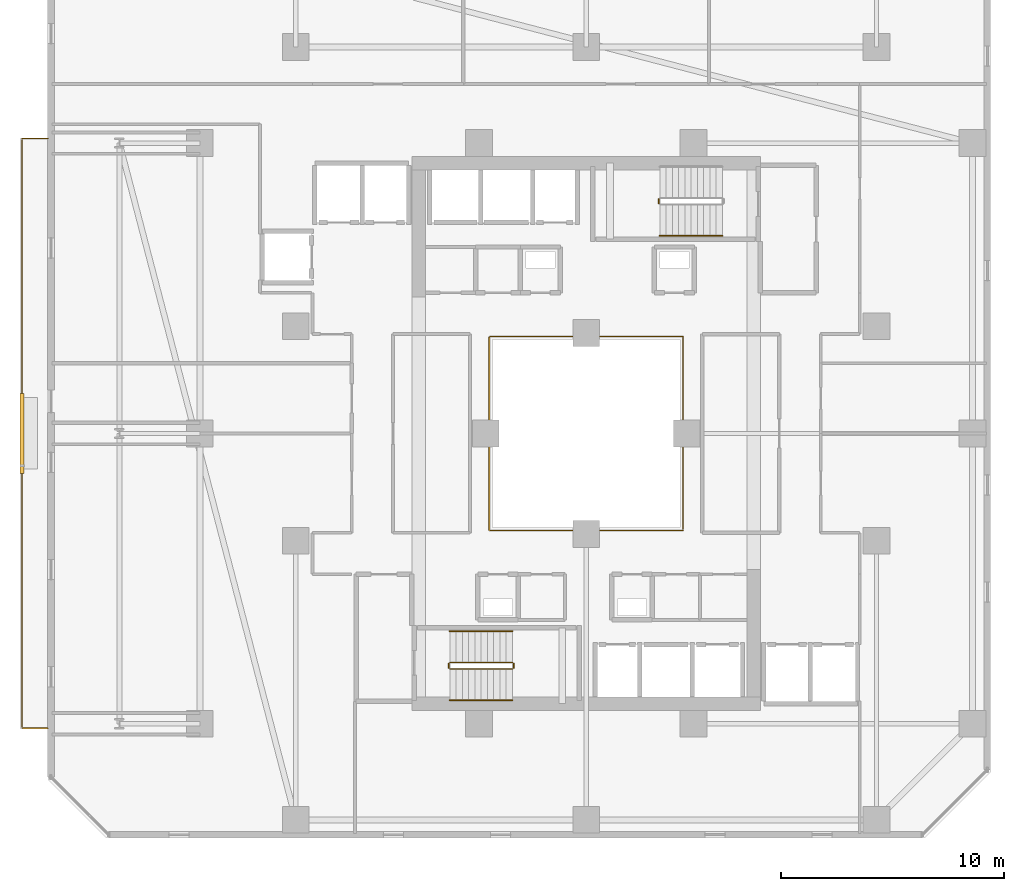
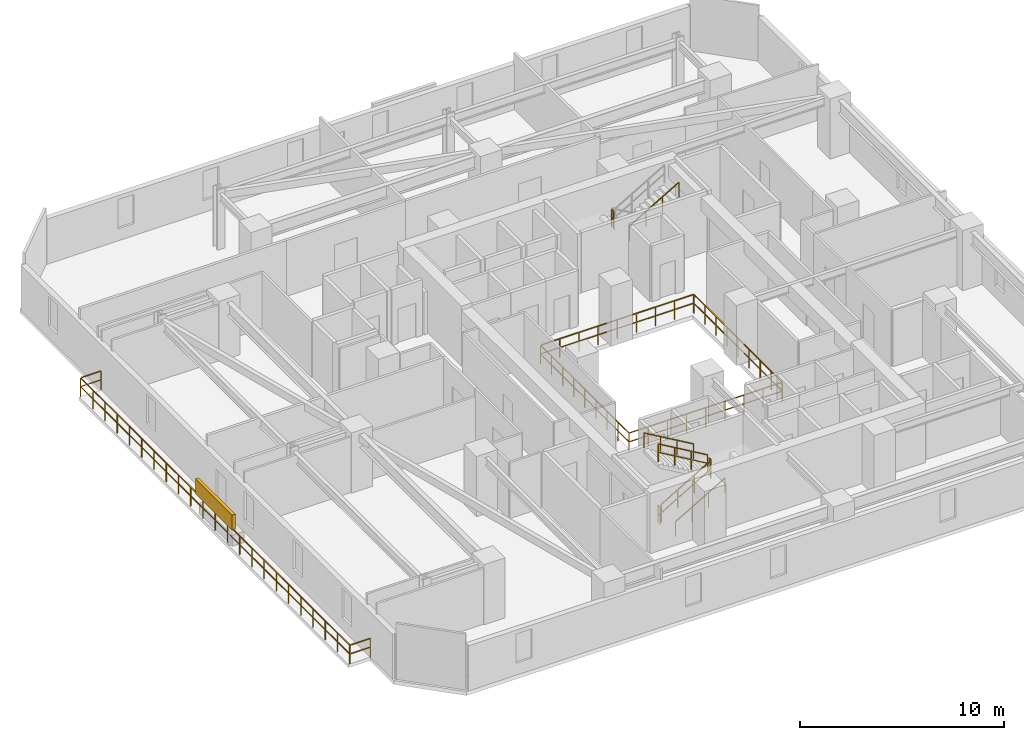
# One storey, part 30 of 33: 10 railings, 1 shading device.
"""IFC4 building model written with IfcOpenShell, lengths in metres."""

from ifc_helpers import new_model, si_unit, direction, frame, origin, origin_2d, place, context, subcontext, project, spatial, rectangle, extrude, material, type_object, element, save


model = new_model("IFC4")

# Units and contexts
model_context = context("Model", 3, precision=1e-05, world=origin(), true_north=direction((0.0, 1.0)))
body_context = subcontext(model_context, "Body", "Model", "MODEL_VIEW")
ifc_project = project(units=[si_unit("LENGTHUNIT", "METRE"), si_unit("AREAUNIT", "SQUARE_METRE"), si_unit("VOLUMEUNIT", "CUBIC_METRE"), si_unit("PLANEANGLEUNIT", "RADIAN"), si_unit("MASSUNIT", "GRAM", prefix="KILO")], contexts=[model_context])

# Site, building, storey
site_placement = place(None, origin())
site = spatial("IfcSite", under=ifc_project, at=site_placement, CompositionType="ELEMENT")
building_placement = place(site_placement, origin())
building = spatial("IfcBuilding", under=site, at=building_placement, Name="Thornwick Lancets Civic Towers", CompositionType="ELEMENT")
storey_placement = place(building_placement, frame((0.0, 0.0, 112.5)))
storey = spatial("IfcBuildingStorey", under=building, at=storey_placement, Name="L29", CompositionType="ELEMENT", Elevation=112.5)

# Railings
ifc_material_1 = material(Name="Laminated glass and bronze steel S355", Category="steel")
railing_type_1 = type_object("IfcRailingType", Name="RAIL_ATRIUM_GUARD", PredefinedType="BALUSTRADE", material=ifc_material_1)
railing_1_placement = place(storey_placement, frame((21.159912109375, 22.659912109375, 0.0)))
element("IfcRailing", 1, at=railing_1_placement, inside=storey, type_object=railing_type_1, Name="L29 Tower A Central Atrium Guard Balustrade", PredefinedType="BALUSTRADE", context=body_context, shape_type="SweptSolid", body=[
    extrude(rectangle(XDim=0.048095703125, YDim=0.048095703125, at=origin_2d()), frame((0.0, 0.0, 1.1259765625), z_axis=(1.0, 0.0, 0.0), x_axis=(0.0, 1.0, 0.0)), (0.0, 0.0, 1.0), 8.64892578125),
    extrude(rectangle(XDim=0.0419921875, YDim=0.0419921875, at=origin_2d()), frame((0.03759765625, 0.0, 0.597900390625), z_axis=(1.0, 0.0, 0.0), x_axis=(0.0, 1.0, 0.0)), (0.0, 0.0, 1.0), 1.010009765625),
    extrude(rectangle(XDim=0.0419921875, YDim=0.0419921875, at=origin_2d()), frame((1.12255859375, 0.0, 0.597900390625), z_axis=(1.0, 0.0, 0.0), x_axis=(0.0, 1.0, 0.0)), (0.0, 0.0, 1.0), 1.010009765625),
    extrude(rectangle(XDim=0.0419921875, YDim=0.0419921875, at=origin_2d()), frame((2.20751953125, 0.0, 0.597900390625), z_axis=(1.0, 0.0, 0.0), x_axis=(0.0, 1.0, 0.0)), (0.0, 0.0, 1.0), 1.010009765625),
    extrude(rectangle(XDim=0.0419921875, YDim=0.0419921875, at=origin_2d()), frame((3.29248046875, 0.0, 0.597900390625), z_axis=(1.0, 0.0, 0.0), x_axis=(0.0, 1.0, 0.0)), (0.0, 0.0, 1.0), 1.010009765625),
    extrude(rectangle(XDim=0.0419921875, YDim=0.0419921875, at=origin_2d()), frame((4.377685546875, 0.0, 0.597900390625), z_axis=(1.0, 0.0, 0.0), x_axis=(0.0, 1.0, 0.0)), (0.0, 0.0, 1.0), 1.010009765625),
    extrude(rectangle(XDim=0.0419921875, YDim=0.0419921875, at=origin_2d()), frame((5.462646484375, 0.0, 0.597900390625), z_axis=(1.0, 0.0, 0.0), x_axis=(0.0, 1.0, 0.0)), (0.0, 0.0, 1.0), 1.010009765625),
    extrude(rectangle(XDim=0.0419921875, YDim=0.0419921875, at=origin_2d()), frame((6.547607421875, 0.0, 0.597900390625), z_axis=(1.0, 0.0, 0.0), x_axis=(0.0, 1.0, 0.0)), (0.0, 0.0, 1.0), 1.010009765625),
    extrude(rectangle(XDim=0.0419921875, YDim=0.0419921875, at=origin_2d()), frame((7.632568359375, 0.0, 0.597900390625), z_axis=(1.0, 0.0, 0.0), x_axis=(0.0, 1.0, 0.0)), (0.0, 0.0, 1.0), 1.010009765625),
    extrude(rectangle(XDim=0.048095703125, YDim=0.048095703125, at=origin_2d()), frame((8.68017578125, 0.03125, 1.1259765625), z_axis=(0.0, 1.0, 0.0), x_axis=(-1.0, 0.0, 0.0)), (0.0, 0.0, 1.0), 8.61767578125),
    extrude(rectangle(XDim=0.0419921875, YDim=0.0419921875, at=origin_2d()), frame((8.68017578125, 0.03759765625, 0.597900390625), z_axis=(0.0, 1.0, 0.0), x_axis=(-1.0, 0.0, 0.0)), (0.0, 0.0, 1.0), 1.010009765625),
    extrude(rectangle(XDim=0.0419921875, YDim=0.0419921875, at=origin_2d()), frame((8.68017578125, 1.12255859375, 0.597900390625), z_axis=(0.0, 1.0, 0.0), x_axis=(-1.0, 0.0, 0.0)), (0.0, 0.0, 1.0), 1.010009765625),
    extrude(rectangle(XDim=0.0419921875, YDim=0.0419921875, at=origin_2d()), frame((8.68017578125, 2.20751953125, 0.597900390625), z_axis=(0.0, 1.0, 0.0), x_axis=(-1.0, 0.0, 0.0)), (0.0, 0.0, 1.0), 1.010009765625),
    extrude(rectangle(XDim=0.0419921875, YDim=0.0419921875, at=origin_2d()), frame((8.68017578125, 3.29248046875, 0.597900390625), z_axis=(0.0, 1.0, 0.0), x_axis=(-1.0, 0.0, 0.0)), (0.0, 0.0, 1.0), 1.010009765625),
    extrude(rectangle(XDim=0.0419921875, YDim=0.0419921875, at=origin_2d()), frame((8.68017578125, 4.377685546875, 0.597900390625), z_axis=(0.0, 1.0, 0.0), x_axis=(-1.0, 0.0, 0.0)), (0.0, 0.0, 1.0), 1.010009765625),
    extrude(rectangle(XDim=0.0419921875, YDim=0.0419921875, at=origin_2d()), frame((8.68017578125, 5.462646484375, 0.597900390625), z_axis=(0.0, 1.0, 0.0), x_axis=(-1.0, 0.0, 0.0)), (0.0, 0.0, 1.0), 1.010009765625),
    extrude(rectangle(XDim=0.0419921875, YDim=0.0419921875, at=origin_2d()), frame((8.68017578125, 6.547607421875, 0.597900390625), z_axis=(0.0, 1.0, 0.0), x_axis=(-1.0, 0.0, 0.0)), (0.0, 0.0, 1.0), 1.010009765625),
    extrude(rectangle(XDim=0.0419921875, YDim=0.0419921875, at=origin_2d()), frame((8.68017578125, 7.632568359375, 0.597900390625), z_axis=(0.0, 1.0, 0.0), x_axis=(-1.0, 0.0, 0.0)), (0.0, 0.0, 1.0), 1.010009765625),
    extrude(rectangle(XDim=0.048095703125, YDim=0.048095703125, at=origin_2d()), frame((8.64892578125, 8.68017578125, 1.1259765625), z_axis=(-1.0, 0.0, 0.0), x_axis=(0.0, -1.0, 0.0)), (0.0, 0.0, 1.0), 8.61767578125),
    extrude(rectangle(XDim=0.0419921875, YDim=0.0419921875, at=origin_2d()), frame((8.642578125, 8.68017578125, 0.597900390625), z_axis=(-1.0, 0.0, 0.0), x_axis=(0.0, -1.0, 0.0)), (0.0, 0.0, 1.0), 1.010009765625),
    extrude(rectangle(XDim=0.0419921875, YDim=0.0419921875, at=origin_2d()), frame((7.5576171875, 8.68017578125, 0.597900390625), z_axis=(-1.0, 0.0, 0.0), x_axis=(0.0, -1.0, 0.0)), (0.0, 0.0, 1.0), 1.010009765625),
    extrude(rectangle(XDim=0.0419921875, YDim=0.0419921875, at=origin_2d()), frame((6.47265625, 8.68017578125, 0.597900390625), z_axis=(-1.0, 0.0, 0.0), x_axis=(0.0, -1.0, 0.0)), (0.0, 0.0, 1.0), 1.010009765625),
    extrude(rectangle(XDim=0.0419921875, YDim=0.0419921875, at=origin_2d()), frame((5.3876953125, 8.68017578125, 0.597900390625), z_axis=(-1.0, 0.0, 0.0), x_axis=(0.0, -1.0, 0.0)), (0.0, 0.0, 1.0), 1.010009765625),
    extrude(rectangle(XDim=0.0419921875, YDim=0.0419921875, at=origin_2d()), frame((4.302490234375, 8.68017578125, 0.597900390625), z_axis=(-1.0, 0.0, 0.0), x_axis=(0.0, -1.0, 0.0)), (0.0, 0.0, 1.0), 1.010009765625),
    extrude(rectangle(XDim=0.0419921875, YDim=0.0419921875, at=origin_2d()), frame((3.217529296875, 8.68017578125, 0.597900390625), z_axis=(-1.0, 0.0, 0.0), x_axis=(0.0, -1.0, 0.0)), (0.0, 0.0, 1.0), 1.010009765625),
    extrude(rectangle(XDim=0.0419921875, YDim=0.0419921875, at=origin_2d()), frame((2.132568359375, 8.68017578125, 0.597900390625), z_axis=(-1.0, 0.0, 0.0), x_axis=(0.0, -1.0, 0.0)), (0.0, 0.0, 1.0), 1.010009765625),
    extrude(rectangle(XDim=0.0419921875, YDim=0.0419921875, at=origin_2d()), frame((1.047607421875, 8.68017578125, 0.597900390625), z_axis=(-1.0, 0.0, 0.0), x_axis=(0.0, -1.0, 0.0)), (0.0, 0.0, 1.0), 1.010009765625),
    extrude(rectangle(XDim=0.048095703125, YDim=0.048095703125, at=origin_2d()), frame((0.0, 8.64892578125, 1.1259765625), z_axis=(0.0, -1.0, 0.0), x_axis=(1.0, 0.0, 0.0)), (0.0, 0.0, 1.0), 8.64892578125),
    extrude(rectangle(XDim=0.0419921875, YDim=0.0419921875, at=origin_2d()), frame((0.0, 8.642578125, 0.597900390625), z_axis=(0.0, -1.0, 0.0), x_axis=(1.0, 0.0, 0.0)), (0.0, 0.0, 1.0), 1.010009765625),
    extrude(rectangle(XDim=0.0419921875, YDim=0.0419921875, at=origin_2d()), frame((0.0, 7.5576171875, 0.597900390625), z_axis=(0.0, -1.0, 0.0), x_axis=(1.0, 0.0, 0.0)), (0.0, 0.0, 1.0), 1.010009765625),
    extrude(rectangle(XDim=0.0419921875, YDim=0.0419921875, at=origin_2d()), frame((0.0, 6.47265625, 0.597900390625), z_axis=(0.0, -1.0, 0.0), x_axis=(1.0, 0.0, 0.0)), (0.0, 0.0, 1.0), 1.010009765625),
    extrude(rectangle(XDim=0.0419921875, YDim=0.0419921875, at=origin_2d()), frame((0.0, 5.3876953125, 0.597900390625), z_axis=(0.0, -1.0, 0.0), x_axis=(1.0, 0.0, 0.0)), (0.0, 0.0, 1.0), 1.010009765625),
    extrude(rectangle(XDim=0.0419921875, YDim=0.0419921875, at=origin_2d()), frame((0.0, 4.302490234375, 0.597900390625), z_axis=(0.0, -1.0, 0.0), x_axis=(1.0, 0.0, 0.0)), (0.0, 0.0, 1.0), 1.010009765625),
    extrude(rectangle(XDim=0.0419921875, YDim=0.0419921875, at=origin_2d()), frame((0.0, 3.217529296875, 0.597900390625), z_axis=(0.0, -1.0, 0.0), x_axis=(1.0, 0.0, 0.0)), (0.0, 0.0, 1.0), 1.010009765625),
    extrude(rectangle(XDim=0.0419921875, YDim=0.0419921875, at=origin_2d()), frame((0.0, 2.132568359375, 0.597900390625), z_axis=(0.0, -1.0, 0.0), x_axis=(1.0, 0.0, 0.0)), (0.0, 0.0, 1.0), 1.010009765625),
    extrude(rectangle(XDim=0.0419921875, YDim=0.0419921875, at=origin_2d()), frame((0.0, 1.047607421875, 0.597900390625), z_axis=(0.0, -1.0, 0.0), x_axis=(1.0, 0.0, 0.0)), (0.0, 0.0, 1.0), 1.010009765625),
    extrude(rectangle(XDim=0.0419921875, YDim=0.0419921875, at=origin_2d()), origin(), (0.0, 0.0, 1.0), 1.095703125),
    extrude(rectangle(XDim=0.0419921875, YDim=0.0419921875, at=origin_2d()), frame((1.0849609375, 0.0, 0.0)), (0.0, 0.0, 1.0), 1.095703125),
    extrude(rectangle(XDim=0.0419921875, YDim=0.0419921875, at=origin_2d()), frame((2.169921875, 0.0, 0.0)), (0.0, 0.0, 1.0), 1.095703125),
    extrude(rectangle(XDim=0.0419921875, YDim=0.0419921875, at=origin_2d()), frame((3.255126953125, 0.0, 0.0)), (0.0, 0.0, 1.0), 1.095703125),
    extrude(rectangle(XDim=0.0419921875, YDim=0.0419921875, at=origin_2d()), frame((4.340087890625, 0.0, 0.0)), (0.0, 0.0, 1.0), 1.095703125),
    extrude(rectangle(XDim=0.0419921875, YDim=0.0419921875, at=origin_2d()), frame((5.425048828125, 0.0, 0.0)), (0.0, 0.0, 1.0), 1.095703125),
    extrude(rectangle(XDim=0.0419921875, YDim=0.0419921875, at=origin_2d()), frame((6.51025390625, 0.0, 0.0)), (0.0, 0.0, 1.0), 1.095703125),
    extrude(rectangle(XDim=0.0419921875, YDim=0.0419921875, at=origin_2d()), frame((7.59521484375, 0.0, 0.0)), (0.0, 0.0, 1.0), 1.095703125),
    extrude(rectangle(XDim=0.0419921875, YDim=0.0419921875, at=origin_2d()), frame((8.68017578125, 0.0, 0.0)), (0.0, 0.0, 1.0), 1.095703125),
    extrude(rectangle(XDim=0.0419921875, YDim=0.0419921875, at=origin_2d()), frame((8.68017578125, 1.0849609375, 0.0)), (0.0, 0.0, 1.0), 1.095703125),
    extrude(rectangle(XDim=0.0419921875, YDim=0.0419921875, at=origin_2d()), frame((8.68017578125, 2.169921875, 0.0)), (0.0, 0.0, 1.0), 1.095703125),
    extrude(rectangle(XDim=0.0419921875, YDim=0.0419921875, at=origin_2d()), frame((8.68017578125, 3.255126953125, 0.0)), (0.0, 0.0, 1.0), 1.095703125),
    extrude(rectangle(XDim=0.0419921875, YDim=0.0419921875, at=origin_2d()), frame((8.68017578125, 4.340087890625, 0.0)), (0.0, 0.0, 1.0), 1.095703125),
    extrude(rectangle(XDim=0.0419921875, YDim=0.0419921875, at=origin_2d()), frame((8.68017578125, 5.425048828125, 0.0)), (0.0, 0.0, 1.0), 1.095703125),
    extrude(rectangle(XDim=0.0419921875, YDim=0.0419921875, at=origin_2d()), frame((8.68017578125, 6.51025390625, 0.0)), (0.0, 0.0, 1.0), 1.095703125),
    extrude(rectangle(XDim=0.0419921875, YDim=0.0419921875, at=origin_2d()), frame((8.68017578125, 7.59521484375, 0.0)), (0.0, 0.0, 1.0), 1.095703125),
    extrude(rectangle(XDim=0.0419921875, YDim=0.0419921875, at=origin_2d()), frame((8.68017578125, 8.68017578125, 0.0)), (0.0, 0.0, 1.0), 1.095703125),
    extrude(rectangle(XDim=0.0419921875, YDim=0.0419921875, at=origin_2d()), frame((7.59521484375, 8.68017578125, 0.0)), (0.0, 0.0, 1.0), 1.095703125),
    extrude(rectangle(XDim=0.0419921875, YDim=0.0419921875, at=origin_2d()), frame((6.51025390625, 8.68017578125, 0.0)), (0.0, 0.0, 1.0), 1.095703125),
    extrude(rectangle(XDim=0.0419921875, YDim=0.0419921875, at=origin_2d()), frame((5.425048828125, 8.68017578125, 0.0)), (0.0, 0.0, 1.0), 1.095703125),
    extrude(rectangle(XDim=0.0419921875, YDim=0.0419921875, at=origin_2d()), frame((4.340087890625, 8.68017578125, 0.0)), (0.0, 0.0, 1.0), 1.095703125),
    extrude(rectangle(XDim=0.0419921875, YDim=0.0419921875, at=origin_2d()), frame((3.255126953125, 8.68017578125, 0.0)), (0.0, 0.0, 1.0), 1.095703125),
    extrude(rectangle(XDim=0.0419921875, YDim=0.0419921875, at=origin_2d()), frame((2.169921875, 8.68017578125, 0.0)), (0.0, 0.0, 1.0), 1.095703125),
    extrude(rectangle(XDim=0.0419921875, YDim=0.0419921875, at=origin_2d()), frame((1.0849609375, 8.68017578125, 0.0)), (0.0, 0.0, 1.0), 1.095703125),
    extrude(rectangle(XDim=0.0419921875, YDim=0.0419921875, at=origin_2d()), frame((0.0, 8.68017578125, 0.0)), (0.0, 0.0, 1.0), 1.095703125),
    extrude(rectangle(XDim=0.0419921875, YDim=0.0419921875, at=origin_2d()), frame((0.0, 7.59521484375, 0.0)), (0.0, 0.0, 1.0), 1.095703125),
    extrude(rectangle(XDim=0.0419921875, YDim=0.0419921875, at=origin_2d()), frame((0.0, 6.51025390625, 0.0)), (0.0, 0.0, 1.0), 1.095703125),
    extrude(rectangle(XDim=0.0419921875, YDim=0.0419921875, at=origin_2d()), frame((0.0, 5.425048828125, 0.0)), (0.0, 0.0, 1.0), 1.095703125),
    extrude(rectangle(XDim=0.0419921875, YDim=0.0419921875, at=origin_2d()), frame((0.0, 4.340087890625, 0.0)), (0.0, 0.0, 1.0), 1.095703125),
    extrude(rectangle(XDim=0.0419921875, YDim=0.0419921875, at=origin_2d()), frame((0.0, 3.255126953125, 0.0)), (0.0, 0.0, 1.0), 1.095703125),
    extrude(rectangle(XDim=0.0419921875, YDim=0.0419921875, at=origin_2d()), frame((0.0, 2.169921875, 0.0)), (0.0, 0.0, 1.0), 1.095703125),
    extrude(rectangle(XDim=0.0419921875, YDim=0.0419921875, at=origin_2d()), frame((0.0, 1.0849609375, 0.0)), (0.0, 0.0, 1.0), 1.095703125),
])
ifc_material_2 = material(Name="Brushed stainless steel S355", Category="steel")
railing_type_2 = type_object("IfcRailingType", Name="RAIL_HANDRAIL", PredefinedType="HANDRAIL", material=ifc_material_2)
railing_2_placement = place(storey_placement, frame((19.39990234375, 15.050048828125, 0.16357421875)))
element("IfcRailing", 2, at=railing_2_placement, inside=storey, type_object=railing_type_2, Name="L29 ST-A1 stair handrail 1", PredefinedType="HANDRAIL", context=body_context, shape_type="SweptSolid", body=[
    extrude(rectangle(XDim=0.048095703125, YDim=0.048095703125, at=origin_2d()), frame((0.0, 0.0, 0.8857421875), z_axis=(0.863360870873, 0.0, 0.504586966384), x_axis=(0.0, 1.0, 0.0)), (0.0, 0.0, 1.0), 3.2431640625),
    extrude(rectangle(XDim=0.0419921875, YDim=0.0419921875, at=origin_2d()), origin(), (0.0, 0.0, 1.0), 0.855712890625),
    extrude(rectangle(XDim=0.0419921875, YDim=0.0419921875, at=origin_2d()), frame((0.933349609375, 0.0, 0.54541015625)), (0.0, 0.0, 1.0), 0.855712890625),
    extrude(rectangle(XDim=0.0419921875, YDim=0.0419921875, at=origin_2d()), frame((1.86669921875, 0.0, 1.091064453125)), (0.0, 0.0, 1.0), 0.855712890625),
    extrude(rectangle(XDim=0.0419921875, YDim=0.0419921875, at=origin_2d()), frame((2.800048828125, 0.0, 1.636474609375)), (0.0, 0.0, 1.0), 0.855712890625),
])
railing_3_placement = place(storey_placement, frame((22.199951171875, 18.14990234375, 1.963623046875)))
element("IfcRailing", 3, at=railing_3_placement, inside=storey, type_object=railing_type_2, Name="L29 ST-A1 stair handrail 2", PredefinedType="HANDRAIL", context=body_context, shape_type="SweptSolid", body=[
    extrude(rectangle(XDim=0.048095703125, YDim=0.048095703125, at=origin_2d()), frame((0.0, 0.0, 0.8857421875), z_axis=(-0.863360870873, 0.0, 0.504586966384), x_axis=(0.0, -1.0, 0.0)), (0.0, 0.0, 1.0), 3.2431640625),
    extrude(rectangle(XDim=0.0419921875, YDim=0.0419921875, at=origin_2d()), origin(), (0.0, 0.0, 1.0), 0.855712890625),
    extrude(rectangle(XDim=0.0419921875, YDim=0.0419921875, at=origin_2d()), frame((-0.933349609375, 0.0, 0.54541015625)), (0.0, 0.0, 1.0), 0.855712890625),
    extrude(rectangle(XDim=0.0419921875, YDim=0.0419921875, at=origin_2d()), frame((-1.86669921875, 0.0, 1.091064453125)), (0.0, 0.0, 1.0), 0.855712890625),
    extrude(rectangle(XDim=0.0419921875, YDim=0.0419921875, at=origin_2d()), frame((-2.800048828125, 0.0, 1.636474609375)), (0.0, 0.0, 1.0), 0.855712890625),
])
railing_4_placement = place(storey_placement, frame((28.800048828125, 35.85009765625, 1.963623046875)))
element("IfcRailing", 4, at=railing_4_placement, inside=storey, type_object=railing_type_2, Name="L29 ST-A2 stair handrail 2", PredefinedType="HANDRAIL", context=body_context, shape_type="SweptSolid", body=[
    extrude(rectangle(XDim=0.048095703125, YDim=0.048095703125, at=origin_2d()), frame((0.0, 0.0, 0.8857421875), z_axis=(0.863360870873, 0.0, 0.504586966384), x_axis=(0.0, 1.0, 0.0)), (0.0, 0.0, 1.0), 3.2431640625),
    extrude(rectangle(XDim=0.0419921875, YDim=0.0419921875, at=origin_2d()), origin(), (0.0, 0.0, 1.0), 0.855712890625),
    extrude(rectangle(XDim=0.0419921875, YDim=0.0419921875, at=origin_2d()), frame((0.933349609375, 0.0, 0.54541015625)), (0.0, 0.0, 1.0), 0.855712890625),
    extrude(rectangle(XDim=0.0419921875, YDim=0.0419921875, at=origin_2d()), frame((1.86669921875, 0.0, 1.091064453125)), (0.0, 0.0, 1.0), 0.855712890625),
    extrude(rectangle(XDim=0.0419921875, YDim=0.0419921875, at=origin_2d()), frame((2.800048828125, 0.0, 1.636474609375)), (0.0, 0.0, 1.0), 0.855712890625),
])
ifc_material_3 = material(Name="Steel S355JR", Category="steel")
railing_type_3 = type_object("IfcRailingType", Name="RAIL_STAIR_GUARD", PredefinedType="GUARDRAIL", material=ifc_material_3)
railing_5_placement = place(storey_placement, frame((19.39990234375, 16.449951171875, 0.16357421875)))
element("IfcRailing", 5, at=railing_5_placement, inside=storey, type_object=railing_type_3, Name="L29 ST-A1 stair guard 1", PredefinedType="GUARDRAIL", context=body_context, shape_type="SweptSolid", body=[
    extrude(rectangle(XDim=0.048095703125, YDim=0.048095703125, at=origin_2d()), frame((0.0, 0.0, 1.076171875), z_axis=(0.863360870873, 0.0, 0.504586966384), x_axis=(0.0, 1.0, 0.0)), (0.0, 0.0, 1.0), 3.2431640625),
    extrude(rectangle(XDim=0.0419921875, YDim=0.0419921875, at=origin_2d()), frame((0.032470703125, 0.0, 0.591064453125), z_axis=(0.863360870873, 0.0, 0.504586966384), x_axis=(0.0, 1.0, 0.0)), (0.0, 0.0, 1.0), 1.006103515625),
    extrude(rectangle(XDim=0.0419921875, YDim=0.0419921875, at=origin_2d()), frame((0.9658203125, 0.0, 1.136474609375), z_axis=(0.863360870873, 0.0, 0.504586966384), x_axis=(0.0, 1.0, 0.0)), (0.0, 0.0, 1.0), 1.006103515625),
    extrude(rectangle(XDim=0.0419921875, YDim=0.0419921875, at=origin_2d()), frame((1.899169921875, 0.0, 1.681884765625), z_axis=(0.863360870873, 0.0, 0.504586966384), x_axis=(0.0, 1.0, 0.0)), (0.0, 0.0, 1.0), 1.006103515625),
    extrude(rectangle(XDim=0.0419921875, YDim=0.0419921875, at=origin_2d()), origin(), (0.0, 0.0, 1.0), 1.0458984375),
    extrude(rectangle(XDim=0.0419921875, YDim=0.0419921875, at=origin_2d()), frame((0.933349609375, 0.0, 0.54541015625)), (0.0, 0.0, 1.0), 1.0458984375),
    extrude(rectangle(XDim=0.0419921875, YDim=0.0419921875, at=origin_2d()), frame((1.86669921875, 0.0, 1.091064453125)), (0.0, 0.0, 1.0), 1.0458984375),
    extrude(rectangle(XDim=0.0419921875, YDim=0.0419921875, at=origin_2d()), frame((2.800048828125, 0.0, 1.636474609375)), (0.0, 0.0, 1.0), 1.0458984375),
])
railing_6_placement = place(storey_placement, frame((22.25, 16.5, 1.800048828125)))
element("IfcRailing", 6, at=railing_6_placement, inside=storey, type_object=railing_type_3, Name="L29 ST-A1 stair guard 2", PredefinedType="GUARDRAIL", context=body_context, shape_type="SweptSolid", body=[
    extrude(rectangle(XDim=0.048095703125, YDim=0.048095703125, at=origin_2d()), frame((0.0, 0.0, 1.076171875), z_axis=(0.0, 1.0, 0.0), x_axis=(-1.0, 0.0, 0.0)), (0.0, 0.0, 1.0), 0.199951171875),
    extrude(rectangle(XDim=0.0419921875, YDim=0.0419921875, at=origin_2d()), frame((0.0, 0.03759765625, 0.572021484375), z_axis=(0.0, 1.0, 0.0), x_axis=(-1.0, 0.0, 0.0)), (0.0, 0.0, 1.0), 0.125),
    extrude(rectangle(XDim=0.0419921875, YDim=0.0419921875, at=origin_2d()), origin(), (0.0, 0.0, 1.0), 1.0458984375),
    extrude(rectangle(XDim=0.0419921875, YDim=0.0419921875, at=origin_2d()), frame((0.0, 0.199951171875, 0.0)), (0.0, 0.0, 1.0), 1.0458984375),
])
railing_7_placement = place(storey_placement, frame((22.199951171875, 16.75, 1.963623046875)))
element("IfcRailing", 7, at=railing_7_placement, inside=storey, type_object=railing_type_3, Name="L29 ST-A1 stair guard 3", PredefinedType="GUARDRAIL", context=body_context, shape_type="SweptSolid", body=[
    extrude(rectangle(XDim=0.048095703125, YDim=0.048095703125, at=origin_2d()), frame((0.0, 0.0, 1.076171875), z_axis=(-0.863360870873, 0.0, 0.504586966384), x_axis=(0.0, -1.0, 0.0)), (0.0, 0.0, 1.0), 3.2431640625),
    extrude(rectangle(XDim=0.0419921875, YDim=0.0419921875, at=origin_2d()), frame((-0.032470703125, 0.0, 0.591064453125), z_axis=(-0.863360870873, 0.0, 0.504586966384), x_axis=(0.0, -1.0, 0.0)), (0.0, 0.0, 1.0), 1.006103515625),
    extrude(rectangle(XDim=0.0419921875, YDim=0.0419921875, at=origin_2d()), frame((-0.9658203125, 0.0, 1.136474609375), z_axis=(-0.863360870873, 0.0, 0.504586966384), x_axis=(0.0, -1.0, 0.0)), (0.0, 0.0, 1.0), 1.006103515625),
    extrude(rectangle(XDim=0.0419921875, YDim=0.0419921875, at=origin_2d()), frame((-1.899169921875, 0.0, 1.681884765625), z_axis=(-0.863360870873, 0.0, 0.504586966384), x_axis=(0.0, -1.0, 0.0)), (0.0, 0.0, 1.0), 1.006103515625),
    extrude(rectangle(XDim=0.0419921875, YDim=0.0419921875, at=origin_2d()), origin(), (0.0, 0.0, 1.0), 1.0458984375),
    extrude(rectangle(XDim=0.0419921875, YDim=0.0419921875, at=origin_2d()), frame((-0.933349609375, 0.0, 0.54541015625)), (0.0, 0.0, 1.0), 1.0458984375),
    extrude(rectangle(XDim=0.0419921875, YDim=0.0419921875, at=origin_2d()), frame((-1.86669921875, 0.0, 1.091064453125)), (0.0, 0.0, 1.0), 1.0458984375),
    extrude(rectangle(XDim=0.0419921875, YDim=0.0419921875, at=origin_2d()), frame((-2.800048828125, 0.0, 1.636474609375)), (0.0, 0.0, 1.0), 1.0458984375),
])
railing_8_placement = place(storey_placement, frame((19.35009765625, 16.5, 0.0)))
element("IfcRailing", 8, at=railing_8_placement, inside=storey, type_object=railing_type_3, Name="L29 ST-A1 stair guard 4", PredefinedType="GUARDRAIL", context=body_context, shape_type="SweptSolid", body=[
    extrude(rectangle(XDim=0.048095703125, YDim=0.048095703125, at=origin_2d()), frame((0.0, 0.0, 1.076171875), z_axis=(0.0, 1.0, 0.0), x_axis=(-1.0, 0.0, 0.0)), (0.0, 0.0, 1.0), 0.199951171875),
    extrude(rectangle(XDim=0.0419921875, YDim=0.0419921875, at=origin_2d()), frame((0.0, 0.03759765625, 0.572021484375), z_axis=(0.0, 1.0, 0.0), x_axis=(-1.0, 0.0, 0.0)), (0.0, 0.0, 1.0), 0.125),
    extrude(rectangle(XDim=0.0419921875, YDim=0.0419921875, at=origin_2d()), origin(), (0.0, 0.0, 1.0), 1.0458984375),
    extrude(rectangle(XDim=0.0419921875, YDim=0.0419921875, at=origin_2d()), frame((0.0, 0.199951171875, 0.0)), (0.0, 0.0, 1.0), 1.0458984375),
])
railing_9_placement = place(storey_placement, frame((28.75, 37.5, 1.800048828125)))
element("IfcRailing", 9, at=railing_9_placement, inside=storey, type_object=railing_type_3, Name="L29 ST-A2 stair guard 2", PredefinedType="GUARDRAIL", context=body_context, shape_type="SweptSolid", body=[
    extrude(rectangle(XDim=0.048095703125, YDim=0.048095703125, at=origin_2d()), frame((0.0, 0.0, 1.076171875), z_axis=(0.0, -1.0, 0.0), x_axis=(1.0, 0.0, 0.0)), (0.0, 0.0, 1.0), 0.199951171875),
    extrude(rectangle(XDim=0.0419921875, YDim=0.0419921875, at=origin_2d()), frame((0.0, -0.03759765625, 0.572021484375), z_axis=(0.0, -1.0, 0.0), x_axis=(1.0, 0.0, 0.0)), (0.0, 0.0, 1.0), 0.125),
    extrude(rectangle(XDim=0.0419921875, YDim=0.0419921875, at=origin_2d()), origin(), (0.0, 0.0, 1.0), 1.0458984375),
    extrude(rectangle(XDim=0.0419921875, YDim=0.0419921875, at=origin_2d()), frame((0.0, -0.199951171875, 0.0)), (0.0, 0.0, 1.0), 1.0458984375),
])
ifc_material_4 = material(Name="Terracotta-capped laminated glass balustrade S355", Category="masonry")
railing_type_4 = type_object("IfcRailingType", Name="RAIL_TERR_GUARD", PredefinedType="GUARDRAIL", material=ifc_material_4)
railing_10_placement = place(storey_placement, frame((1.39990234375, 13.800048828125, 0.0)))
element("IfcRailing", 10, at=railing_10_placement, inside=storey, type_object=railing_type_4, Name="L29 Tower A Balcony Guard W", PredefinedType="GUARDRAIL", context=body_context, shape_type="SweptSolid", body=[
    extrude(rectangle(XDim=0.048095703125, YDim=0.048095703125, at=origin_2d()), frame((0.0, 0.0, 1.1259765625), z_axis=(-1.0, 0.0, 0.0), x_axis=(0.0, -1.0, 0.0)), (0.0, 0.0, 1.0), 1.138671875),
    extrude(rectangle(XDim=0.0419921875, YDim=0.0419921875, at=origin_2d()), frame((-0.03759765625, 0.0, 0.597900390625), z_axis=(-1.0, 0.0, 0.0), x_axis=(0.0, -1.0, 0.0)), (0.0, 0.0, 1.0), 1.094970703125),
    extrude(rectangle(XDim=0.048095703125, YDim=0.048095703125, at=origin_2d()), frame((-1.169921875, 0.03125, 1.1259765625), z_axis=(0.0, 1.0, 0.0), x_axis=(-1.0, 0.0, 0.0)), (0.0, 0.0, 1.0), 26.33740234375),
    extrude(rectangle(XDim=0.0419921875, YDim=0.0419921875, at=origin_2d()), frame((-1.169921875, 0.03759765625, 0.597900390625), z_axis=(0.0, 1.0, 0.0), x_axis=(-1.0, 0.0, 0.0)), (0.0, 0.0, 1.0), 1.125),
    extrude(rectangle(XDim=0.0419921875, YDim=0.0419921875, at=origin_2d()), frame((-1.169921875, 1.237548828125, 0.597900390625), z_axis=(0.0, 1.0, 0.0), x_axis=(-1.0, 0.0, 0.0)), (0.0, 0.0, 1.0), 1.125),
    extrude(rectangle(XDim=0.0419921875, YDim=0.0419921875, at=origin_2d()), frame((-1.169921875, 2.4375, 0.597900390625), z_axis=(0.0, 1.0, 0.0), x_axis=(-1.0, 0.0, 0.0)), (0.0, 0.0, 1.0), 1.125),
    extrude(rectangle(XDim=0.0419921875, YDim=0.0419921875, at=origin_2d()), frame((-1.169921875, 3.637451171875, 0.597900390625), z_axis=(0.0, 1.0, 0.0), x_axis=(-1.0, 0.0, 0.0)), (0.0, 0.0, 1.0), 1.125),
    extrude(rectangle(XDim=0.0419921875, YDim=0.0419921875, at=origin_2d()), frame((-1.169921875, 4.83740234375, 0.597900390625), z_axis=(0.0, 1.0, 0.0), x_axis=(-1.0, 0.0, 0.0)), (0.0, 0.0, 1.0), 1.125),
    extrude(rectangle(XDim=0.0419921875, YDim=0.0419921875, at=origin_2d()), frame((-1.169921875, 6.037353515625, 0.597900390625), z_axis=(0.0, 1.0, 0.0), x_axis=(-1.0, 0.0, 0.0)), (0.0, 0.0, 1.0), 1.125),
    extrude(rectangle(XDim=0.0419921875, YDim=0.0419921875, at=origin_2d()), frame((-1.169921875, 7.237548828125, 0.597900390625), z_axis=(0.0, 1.0, 0.0), x_axis=(-1.0, 0.0, 0.0)), (0.0, 0.0, 1.0), 1.125),
    extrude(rectangle(XDim=0.0419921875, YDim=0.0419921875, at=origin_2d()), frame((-1.169921875, 8.4375, 0.597900390625), z_axis=(0.0, 1.0, 0.0), x_axis=(-1.0, 0.0, 0.0)), (0.0, 0.0, 1.0), 1.125),
    extrude(rectangle(XDim=0.0419921875, YDim=0.0419921875, at=origin_2d()), frame((-1.169921875, 9.637451171875, 0.597900390625), z_axis=(0.0, 1.0, 0.0), x_axis=(-1.0, 0.0, 0.0)), (0.0, 0.0, 1.0), 1.125),
    extrude(rectangle(XDim=0.0419921875, YDim=0.0419921875, at=origin_2d()), frame((-1.169921875, 10.83740234375, 0.597900390625), z_axis=(0.0, 1.0, 0.0), x_axis=(-1.0, 0.0, 0.0)), (0.0, 0.0, 1.0), 1.125),
    extrude(rectangle(XDim=0.0419921875, YDim=0.0419921875, at=origin_2d()), frame((-1.169921875, 12.037353515625, 0.597900390625), z_axis=(0.0, 1.0, 0.0), x_axis=(-1.0, 0.0, 0.0)), (0.0, 0.0, 1.0), 1.125),
    extrude(rectangle(XDim=0.0419921875, YDim=0.0419921875, at=origin_2d()), frame((-1.169921875, 13.237548828125, 0.597900390625), z_axis=(0.0, 1.0, 0.0), x_axis=(-1.0, 0.0, 0.0)), (0.0, 0.0, 1.0), 1.125),
    extrude(rectangle(XDim=0.0419921875, YDim=0.0419921875, at=origin_2d()), frame((-1.169921875, 14.4375, 0.597900390625), z_axis=(0.0, 1.0, 0.0), x_axis=(-1.0, 0.0, 0.0)), (0.0, 0.0, 1.0), 1.125),
    extrude(rectangle(XDim=0.0419921875, YDim=0.0419921875, at=origin_2d()), frame((-1.169921875, 15.637451171875, 0.597900390625), z_axis=(0.0, 1.0, 0.0), x_axis=(-1.0, 0.0, 0.0)), (0.0, 0.0, 1.0), 1.125),
    extrude(rectangle(XDim=0.0419921875, YDim=0.0419921875, at=origin_2d()), frame((-1.169921875, 16.83740234375, 0.597900390625), z_axis=(0.0, 1.0, 0.0), x_axis=(-1.0, 0.0, 0.0)), (0.0, 0.0, 1.0), 1.125),
    extrude(rectangle(XDim=0.0419921875, YDim=0.0419921875, at=origin_2d()), frame((-1.169921875, 18.037353515625, 0.597900390625), z_axis=(0.0, 1.0, 0.0), x_axis=(-1.0, 0.0, 0.0)), (0.0, 0.0, 1.0), 1.125),
    extrude(rectangle(XDim=0.0419921875, YDim=0.0419921875, at=origin_2d()), frame((-1.169921875, 19.2373046875, 0.597900390625), z_axis=(0.0, 1.0, 0.0), x_axis=(-1.0, 0.0, 0.0)), (0.0, 0.0, 1.0), 1.125),
    extrude(rectangle(XDim=0.0419921875, YDim=0.0419921875, at=origin_2d()), frame((-1.169921875, 20.4375, 0.597900390625), z_axis=(0.0, 1.0, 0.0), x_axis=(-1.0, 0.0, 0.0)), (0.0, 0.0, 1.0), 1.125),
    extrude(rectangle(XDim=0.0419921875, YDim=0.0419921875, at=origin_2d()), frame((-1.169921875, 21.637451171875, 0.597900390625), z_axis=(0.0, 1.0, 0.0), x_axis=(-1.0, 0.0, 0.0)), (0.0, 0.0, 1.0), 1.125),
    extrude(rectangle(XDim=0.0419921875, YDim=0.0419921875, at=origin_2d()), frame((-1.169921875, 22.83740234375, 0.597900390625), z_axis=(0.0, 1.0, 0.0), x_axis=(-1.0, 0.0, 0.0)), (0.0, 0.0, 1.0), 1.125),
    extrude(rectangle(XDim=0.0419921875, YDim=0.0419921875, at=origin_2d()), frame((-1.169921875, 24.037353515625, 0.597900390625), z_axis=(0.0, 1.0, 0.0), x_axis=(-1.0, 0.0, 0.0)), (0.0, 0.0, 1.0), 1.125),
    extrude(rectangle(XDim=0.0419921875, YDim=0.0419921875, at=origin_2d()), frame((-1.169921875, 25.2373046875, 0.597900390625), z_axis=(0.0, 1.0, 0.0), x_axis=(-1.0, 0.0, 0.0)), (0.0, 0.0, 1.0), 1.125),
    extrude(rectangle(XDim=0.048095703125, YDim=0.048095703125, at=origin_2d()), frame((-1.138671875, 26.39990234375, 1.1259765625), z_axis=(1.0, 0.0, 0.0), x_axis=(0.0, 1.0, 0.0)), (0.0, 0.0, 1.0), 1.138671875),
    extrude(rectangle(XDim=0.0419921875, YDim=0.0419921875, at=origin_2d()), frame((-1.13232421875, 26.39990234375, 0.597900390625), z_axis=(1.0, 0.0, 0.0), x_axis=(0.0, 1.0, 0.0)), (0.0, 0.0, 1.0), 1.094970703125),
    extrude(rectangle(XDim=0.0419921875, YDim=0.0419921875, at=origin_2d()), origin(), (0.0, 0.0, 1.0), 1.095703125),
    extrude(rectangle(XDim=0.0419921875, YDim=0.0419921875, at=origin_2d()), frame((-1.169921875, 0.0, 0.0)), (0.0, 0.0, 1.0), 1.095703125),
    extrude(rectangle(XDim=0.0419921875, YDim=0.0419921875, at=origin_2d()), frame((-1.169921875, 1.199951171875, 0.0)), (0.0, 0.0, 1.0), 1.095703125),
    extrude(rectangle(XDim=0.0419921875, YDim=0.0419921875, at=origin_2d()), frame((-1.169921875, 2.39990234375, 0.0)), (0.0, 0.0, 1.0), 1.095703125),
    extrude(rectangle(XDim=0.0419921875, YDim=0.0419921875, at=origin_2d()), frame((-1.169921875, 3.60009765625, 0.0)), (0.0, 0.0, 1.0), 1.095703125),
    extrude(rectangle(XDim=0.0419921875, YDim=0.0419921875, at=origin_2d()), frame((-1.169921875, 4.800048828125, 0.0)), (0.0, 0.0, 1.0), 1.095703125),
    extrude(rectangle(XDim=0.0419921875, YDim=0.0419921875, at=origin_2d()), frame((-1.169921875, 6.0, 0.0)), (0.0, 0.0, 1.0), 1.095703125),
    extrude(rectangle(XDim=0.0419921875, YDim=0.0419921875, at=origin_2d()), frame((-1.169921875, 7.199951171875, 0.0)), (0.0, 0.0, 1.0), 1.095703125),
    extrude(rectangle(XDim=0.0419921875, YDim=0.0419921875, at=origin_2d()), frame((-1.169921875, 8.39990234375, 0.0)), (0.0, 0.0, 1.0), 1.095703125),
    extrude(rectangle(XDim=0.0419921875, YDim=0.0419921875, at=origin_2d()), frame((-1.169921875, 9.599853515625, 0.0)), (0.0, 0.0, 1.0), 1.095703125),
    extrude(rectangle(XDim=0.0419921875, YDim=0.0419921875, at=origin_2d()), frame((-1.169921875, 10.800048828125, 0.0)), (0.0, 0.0, 1.0), 1.095703125),
    extrude(rectangle(XDim=0.0419921875, YDim=0.0419921875, at=origin_2d()), frame((-1.169921875, 12.0, 0.0)), (0.0, 0.0, 1.0), 1.095703125),
    extrude(rectangle(XDim=0.0419921875, YDim=0.0419921875, at=origin_2d()), frame((-1.169921875, 13.199951171875, 0.0)), (0.0, 0.0, 1.0), 1.095703125),
    extrude(rectangle(XDim=0.0419921875, YDim=0.0419921875, at=origin_2d()), frame((-1.169921875, 14.39990234375, 0.0)), (0.0, 0.0, 1.0), 1.095703125),
    extrude(rectangle(XDim=0.0419921875, YDim=0.0419921875, at=origin_2d()), frame((-1.169921875, 15.599853515625, 0.0)), (0.0, 0.0, 1.0), 1.095703125),
    extrude(rectangle(XDim=0.0419921875, YDim=0.0419921875, at=origin_2d()), frame((-1.169921875, 16.800048828125, 0.0)), (0.0, 0.0, 1.0), 1.095703125),
    extrude(rectangle(XDim=0.0419921875, YDim=0.0419921875, at=origin_2d()), frame((-1.169921875, 18.0, 0.0)), (0.0, 0.0, 1.0), 1.095703125),
    extrude(rectangle(XDim=0.0419921875, YDim=0.0419921875, at=origin_2d()), frame((-1.169921875, 19.199951171875, 0.0)), (0.0, 0.0, 1.0), 1.095703125),
    extrude(rectangle(XDim=0.0419921875, YDim=0.0419921875, at=origin_2d()), frame((-1.169921875, 20.39990234375, 0.0)), (0.0, 0.0, 1.0), 1.095703125),
    extrude(rectangle(XDim=0.0419921875, YDim=0.0419921875, at=origin_2d()), frame((-1.169921875, 21.599853515625, 0.0)), (0.0, 0.0, 1.0), 1.095703125),
    extrude(rectangle(XDim=0.0419921875, YDim=0.0419921875, at=origin_2d()), frame((-1.169921875, 22.7998046875, 0.0)), (0.0, 0.0, 1.0), 1.095703125),
    extrude(rectangle(XDim=0.0419921875, YDim=0.0419921875, at=origin_2d()), frame((-1.169921875, 24.0, 0.0)), (0.0, 0.0, 1.0), 1.095703125),
    extrude(rectangle(XDim=0.0419921875, YDim=0.0419921875, at=origin_2d()), frame((-1.169921875, 25.199951171875, 0.0)), (0.0, 0.0, 1.0), 1.095703125),
    extrude(rectangle(XDim=0.0419921875, YDim=0.0419921875, at=origin_2d()), frame((-1.169921875, 26.39990234375, 0.0)), (0.0, 0.0, 1.0), 1.095703125),
    extrude(rectangle(XDim=0.0419921875, YDim=0.0419921875, at=origin_2d()), frame((0.0, 26.39990234375, 0.0)), (0.0, 0.0, 1.0), 1.095703125),
])

# Shading device
ifc_material_5 = material(Name="Extruded terracotta baguette solar screen", Category="masonry")
shading_device_type = type_object("IfcShadingDeviceType", Name="SHADE_BAGUETTE", PredefinedType="JALOUSIE", material=ifc_material_5)
shading_device_placement = place(storey_placement, frame((0.239990234375, 27.0, 1.1201171875), z_axis=(0.0, 0.0, 1.0), x_axis=(0.0, 1.0, 0.0)))
element("IfcShadingDevice", 11, at=shading_device_placement, inside=storey, type_object=shading_device_type, Name="L29 Tower A Terracotta Baguette Screen W", PredefinedType="JALOUSIE", context=body_context, shape_type="SweptSolid", body=[
    extrude(rectangle(XDim=3.60009765625, YDim=0.179931640625, at=origin_2d()), origin(), (0.0, 0.0, 1.0), 0.89990234375),
])

save(model, "model.ifc")
